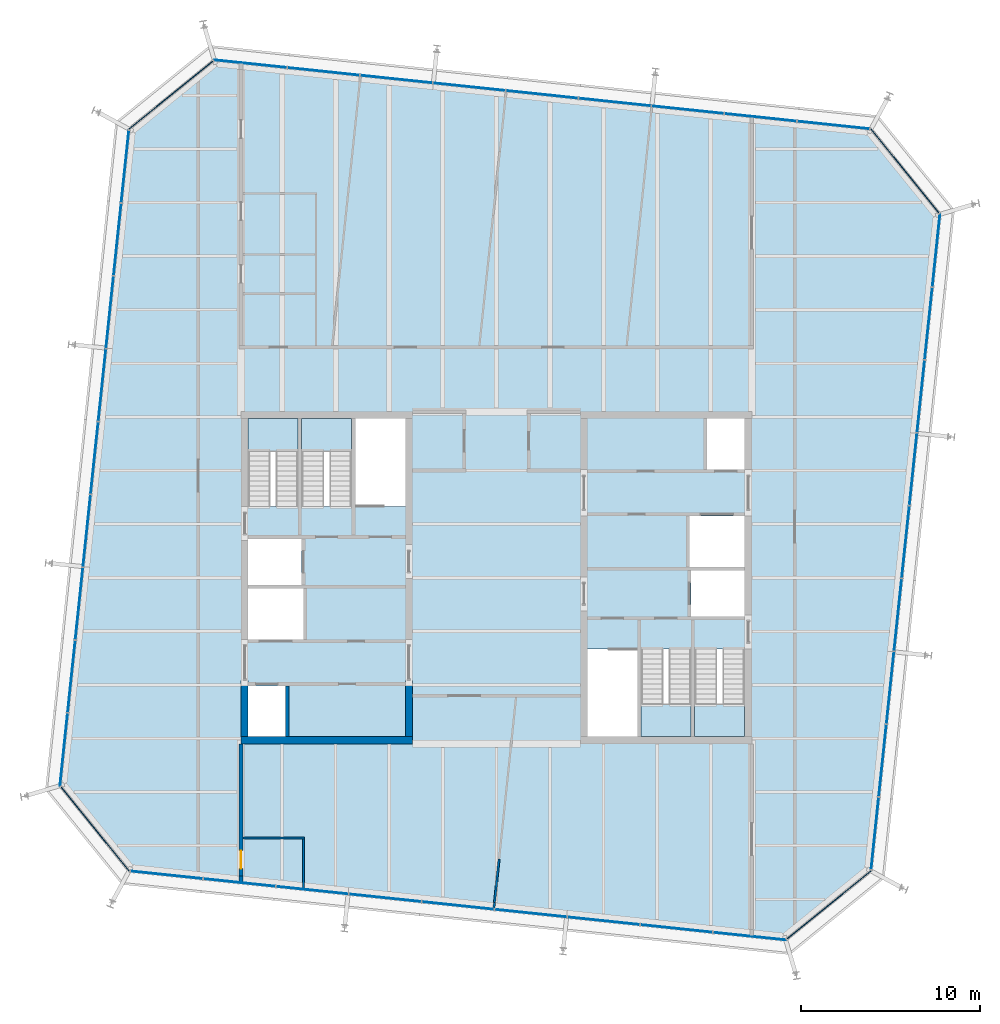
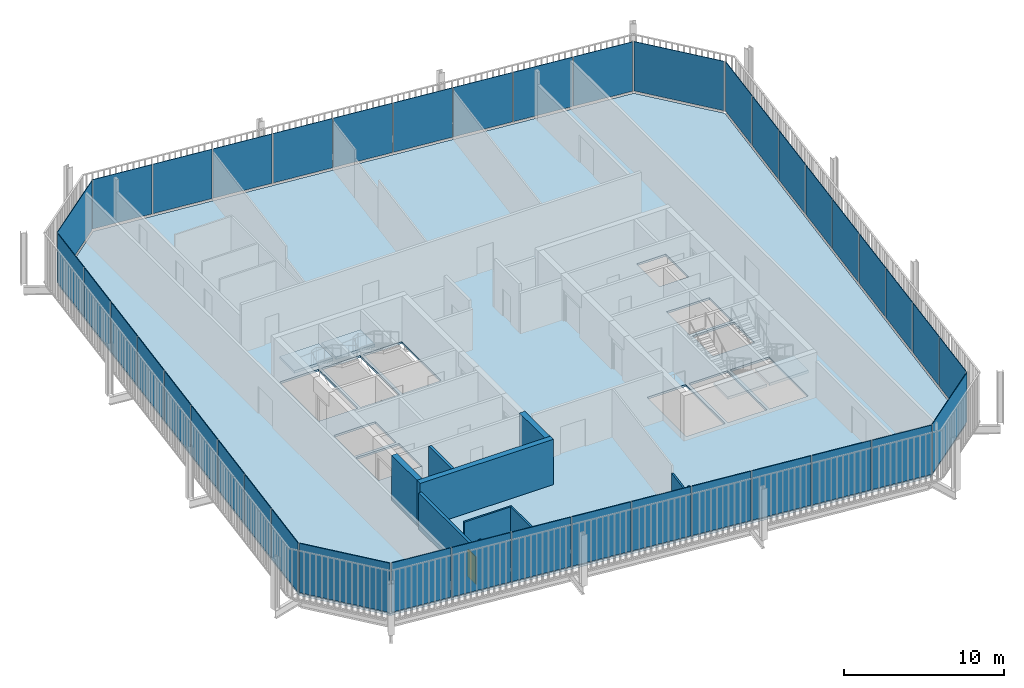
# One storey, part 15 of 19: 40 plates, 10 walls, 5 slabs, 1 door, 1 opening, 12 elements without a shape of their own.
"""IFC4 building model written with IfcOpenShell, lengths in metres."""

from ifc_helpers import new_model, si_unit, direction, frame, frame_2d, origin, place, context, subcontext, project, spatial, polyline, rectangle, outline, extrude, material, layer, layer_set, type_object, element, fill, aggregate, save


model = new_model("IFC4")

# Units and contexts
model_context = context("Model", 3, precision=1e-05, world=origin(), true_north=direction((0.0, 1.0)))
body_context = subcontext(model_context, "Body", "Model", "MODEL_VIEW")
ifc_project = project(units=[si_unit("LENGTHUNIT", "METRE"), si_unit("AREAUNIT", "SQUARE_METRE"), si_unit("VOLUMEUNIT", "CUBIC_METRE"), si_unit("PLANEANGLEUNIT", "RADIAN"), si_unit("MASSUNIT", "GRAM", prefix="KILO")], contexts=[model_context])

# Site, building, storey
site_placement = place(None, origin())
site = spatial("IfcSite", under=ifc_project, at=site_placement, CompositionType="ELEMENT")
building_placement = place(site_placement, origin())
building = spatial("IfcBuilding", under=site, at=building_placement, Name="Millrace Tower", CompositionType="ELEMENT")
storey_placement = place(building_placement, frame((0.0, 0.0, 338.199951171875)))
storey = spatial("IfcBuildingStorey", under=building, at=storey_placement, Name="L78", CompositionType="ELEMENT", Elevation=338.199951171875)

# Curtain wall, plate
ifc_material_1 = material(Name="Aluminium and glass", Category="aluminium")
ifc_layer_1 = layer(ifc_material_1, 0.14990234375)
ifc_layer_set_1 = layer_set([ifc_layer_1], Name="Aluminium and glass")
curtain_wall_type = type_object("IfcCurtainWallType", Name="CW-1 office vision curtain wall", PredefinedType="NOTDEFINED", material=ifc_layer_set_1)
placement_1 = place(storey_placement, origin())
curtain_wall_1 = element("IfcCurtainWall", 1, at=placement_1, inside=storey, type_object=curtain_wall_type, Name="Curtain wall E-F01 L78", PredefinedType="NOTDEFINED")
ifc_material_2 = material(Name="Glass", Category="glass")
ifc_layer_2 = layer(ifc_material_2, 0.0439453125)
ifc_layer_set_2 = layer_set([ifc_layer_2], Name="Glass")
plate_type = type_object("IfcPlateType", Name="CW-1 office vision curtain wall triple-glazed vision panel", PredefinedType="CURTAIN_PANEL", material=ifc_layer_set_2)
placement_2 = place(storey_placement, frame((0.0, 0.0, 0.14013671875)))
plate_1 = element("IfcPlate", 2, at=placement_2, type_object=plate_type, Name="CW1 panel E-F01.1", PredefinedType="CURTAIN_PANEL", context=body_context, shape_type="SweptSolid", body=[
    extrude(outline(polyline([(-24.388427734375, -11.732421875), (-20.5771484375, -16.439208984375), (-20.554443359375, -16.397216796875), (-24.354248046875, -11.704833984375), (-24.388427734375, -11.732421875)])), origin(), (0.0, 0.0, 1.0), 3.760009765625),
])
aggregate(curtain_wall_1, [plate_1])

# Curtain wall, plates
curtain_wall_2 = element("IfcCurtainWall", 3, at=placement_1, inside=storey, type_object=curtain_wall_type, Name="Curtain wall E-F02 L78", PredefinedType="NOTDEFINED")
plate_2 = element("IfcPlate", 4, at=placement_2, type_object=plate_type, Name="CW1 panel E-F02.1", PredefinedType="CURTAIN_PANEL", context=body_context, shape_type="SweptSolid", body=[
    extrude(outline(polyline([(-20.472412109375, -16.4501953125), (-16.45947265625, -16.871826171875), (-16.454833984375, -16.828125), (-20.4677734375, -16.40625), (-20.472412109375, -16.4501953125)])), origin(), (0.0, 0.0, 1.0), 3.760009765625),
])
plate_3 = element("IfcPlate", 5, at=placement_2, type_object=plate_type, Name="CW1 panel E-F02.2", PredefinedType="CURTAIN_PANEL", context=body_context, shape_type="SweptSolid", body=[
    extrude(outline(polyline([(-16.39501953125, -16.878662109375), (-12.382080078125, -17.300537109375), (-12.37744140625, -17.256591796875), (-16.390380859375, -16.8349609375), (-16.39501953125, -16.878662109375)])), origin(), (0.0, 0.0, 1.0), 3.760009765625),
])
plate_4 = element("IfcPlate", 6, at=placement_2, type_object=plate_type, Name="CW1 panel E-F02.3", PredefinedType="CURTAIN_PANEL", context=body_context, shape_type="SweptSolid", body=[
    extrude(outline(polyline([(-12.3173828125, -17.30712890625), (-8.304443359375, -17.72900390625), (-8.2998046875, -17.685302734375), (-12.312744140625, -17.263427734375), (-12.3173828125, -17.30712890625)])), origin(), (0.0, 0.0, 1.0), 3.760009765625),
])
plate_5 = element("IfcPlate", 7, at=placement_2, type_object=plate_type, Name="CW1 panel E-F02.4", PredefinedType="CURTAIN_PANEL", context=body_context, shape_type="SweptSolid", body=[
    extrude(outline(polyline([(-8.23974609375, -17.73583984375), (-4.22705078125, -18.157470703125), (-4.222412109375, -18.11376953125), (-8.235107421875, -17.692138671875), (-8.23974609375, -17.73583984375)])), origin(), (0.0, 0.0, 1.0), 3.760009765625),
])
plate_6 = element("IfcPlate", 8, at=placement_2, type_object=plate_type, Name="CW1 panel E-F02.5", PredefinedType="CURTAIN_PANEL", context=body_context, shape_type="SweptSolid", body=[
    extrude(outline(polyline([(-4.162353515625, -18.164306640625), (-0.1494140625, -18.586181640625), (-0.144775390625, -18.54248046875), (-4.15771484375, -18.12060546875), (-4.162353515625, -18.164306640625)])), origin(), (0.0, 0.0, 1.0), 3.760009765625),
])
plate_7 = element("IfcPlate", 9, at=placement_2, type_object=plate_type, Name="CW1 panel E-F02.6", PredefinedType="CURTAIN_PANEL", context=body_context, shape_type="SweptSolid", body=[
    extrude(outline(polyline([(-0.084716796875, -18.593017578125), (3.92822265625, -19.0146484375), (3.932861328125, -18.970947265625), (-0.080078125, -18.549072265625), (-0.084716796875, -18.593017578125)])), origin(), (0.0, 0.0, 1.0), 3.760009765625),
])
plate_8 = element("IfcPlate", 10, at=placement_2, type_object=plate_type, Name="CW1 panel E-F02.7", PredefinedType="CURTAIN_PANEL", context=body_context, shape_type="SweptSolid", body=[
    extrude(outline(polyline([(3.99267578125, -19.021484375), (8.005615234375, -19.443359375), (8.01025390625, -19.3994140625), (3.997314453125, -18.977783203125), (3.99267578125, -19.021484375)])), origin(), (0.0, 0.0, 1.0), 3.760009765625),
])
plate_9 = element("IfcPlate", 11, at=placement_2, type_object=plate_type, Name="CW1 panel E-F02.8", PredefinedType="CURTAIN_PANEL", context=body_context, shape_type="SweptSolid", body=[
    extrude(outline(polyline([(8.0703125, -19.449951171875), (12.083251953125, -19.871826171875), (12.087890625, -19.828125), (8.074951171875, -19.40625), (8.0703125, -19.449951171875)])), origin(), (0.0, 0.0, 1.0), 3.760009765625),
])
plate_10 = element("IfcPlate", 12, at=placement_2, type_object=plate_type, Name="CW1 panel E-F02.9", PredefinedType="CURTAIN_PANEL", context=body_context, shape_type="SweptSolid", body=[
    extrude(outline(polyline([(12.14794921875, -19.878662109375), (16.20068359375, -20.3046875), (16.187255859375, -20.259033203125), (12.152587890625, -19.8349609375), (12.14794921875, -19.878662109375)])), origin(), (0.0, 0.0, 1.0), 3.760009765625),
])
aggregate(curtain_wall_2, [plate_2, plate_3, plate_4, plate_5, plate_6, plate_7, plate_8, plate_9, plate_10])

# Curtain wall, plate
curtain_wall_3 = element("IfcCurtainWall", 13, at=placement_1, inside=storey, type_object=curtain_wall_type, Name="Curtain wall E-F03 L78", PredefinedType="NOTDEFINED")
plate_11 = element("IfcPlate", 14, at=placement_2, type_object=plate_type, Name="CW1 panel E-F03.1", PredefinedType="CURTAIN_PANEL", context=body_context, shape_type="SweptSolid", body=[
    extrude(outline(polyline([(16.282470703125, -20.23828125), (20.989013671875, -16.427001953125), (20.947265625, -16.404296875), (16.2548828125, -20.2041015625), (16.282470703125, -20.23828125)])), origin(), (0.0, 0.0, 1.0), 3.760009765625),
])
aggregate(curtain_wall_3, [plate_11])

# Curtain wall, plates
curtain_wall_4 = element("IfcCurtainWall", 15, at=placement_1, inside=storey, type_object=curtain_wall_type, Name="Curtain wall E-F04 L78", PredefinedType="NOTDEFINED")
plate_12 = element("IfcPlate", 16, at=placement_2, type_object=plate_type, Name="CW1 panel E-F04.1", PredefinedType="CURTAIN_PANEL", context=body_context, shape_type="SweptSolid", body=[
    extrude(outline(polyline([(21.0, -16.322509765625), (21.421875, -12.3095703125), (21.378173828125, -12.304931640625), (20.956298828125, -16.31787109375), (21.0, -16.322509765625)])), origin(), (0.0, 0.0, 1.0), 3.760009765625),
])
plate_13 = element("IfcPlate", 17, at=placement_2, type_object=plate_type, Name="CW1 panel E-F04.2", PredefinedType="CURTAIN_PANEL", context=body_context, shape_type="SweptSolid", body=[
    extrude(outline(polyline([(21.4287109375, -12.244873046875), (21.850341796875, -8.23193359375), (21.806640625, -8.227294921875), (21.385009765625, -12.240234375), (21.4287109375, -12.244873046875)])), origin(), (0.0, 0.0, 1.0), 3.760009765625),
])
plate_14 = element("IfcPlate", 18, at=placement_2, type_object=plate_type, Name="CW1 panel E-F04.3", PredefinedType="CURTAIN_PANEL", context=body_context, shape_type="SweptSolid", body=[
    extrude(outline(polyline([(21.857177734375, -8.16748046875), (22.279052734375, -4.154541015625), (22.2353515625, -4.14990234375), (21.8134765625, -8.162841796875), (21.857177734375, -8.16748046875)])), origin(), (0.0, 0.0, 1.0), 3.760009765625),
])
plate_15 = element("IfcPlate", 19, at=placement_2, type_object=plate_type, Name="CW1 panel E-F04.4", PredefinedType="CURTAIN_PANEL", context=body_context, shape_type="SweptSolid", body=[
    extrude(outline(polyline([(22.285888671875, -4.08984375), (22.70751953125, -0.076904296875), (22.663818359375, -0.072265625), (22.241943359375, -4.085205078125), (22.285888671875, -4.08984375)])), origin(), (0.0, 0.0, 1.0), 3.760009765625),
])
plate_16 = element("IfcPlate", 20, at=placement_2, type_object=plate_type, Name="CW1 panel E-F04.5", PredefinedType="CURTAIN_PANEL", context=body_context, shape_type="SweptSolid", body=[
    extrude(outline(polyline([(22.71435546875, -0.01220703125), (23.13623046875, 4.00048828125), (23.09228515625, 4.005126953125), (22.670654296875, -0.007568359375), (22.71435546875, -0.01220703125)])), origin(), (0.0, 0.0, 1.0), 3.760009765625),
])
plate_17 = element("IfcPlate", 21, at=placement_2, type_object=plate_type, Name="CW1 panel E-F04.6", PredefinedType="CURTAIN_PANEL", context=body_context, shape_type="SweptSolid", body=[
    extrude(outline(polyline([(23.142822265625, 4.065185546875), (23.564697265625, 8.078125), (23.52099609375, 8.082763671875), (23.09912109375, 4.06982421875), (23.142822265625, 4.065185546875)])), origin(), (0.0, 0.0, 1.0), 3.760009765625),
])
plate_18 = element("IfcPlate", 22, at=placement_2, type_object=plate_type, Name="CW1 panel E-F04.7", PredefinedType="CURTAIN_PANEL", context=body_context, shape_type="SweptSolid", body=[
    extrude(outline(polyline([(23.571533203125, 8.142822265625), (23.9931640625, 12.15576171875), (23.949462890625, 12.160400390625), (23.52783203125, 8.1474609375), (23.571533203125, 8.142822265625)])), origin(), (0.0, 0.0, 1.0), 3.760009765625),
])
plate_19 = element("IfcPlate", 23, at=placement_2, type_object=plate_type, Name="CW1 panel E-F04.8", PredefinedType="CURTAIN_PANEL", context=body_context, shape_type="SweptSolid", body=[
    extrude(outline(polyline([(24.0, 12.22021484375), (24.421875, 16.233154296875), (24.378173828125, 16.23779296875), (23.956298828125, 12.224853515625), (24.0, 12.22021484375)])), origin(), (0.0, 0.0, 1.0), 3.760009765625),
])
plate_20 = element("IfcPlate", 24, at=placement_2, type_object=plate_type, Name="CW1 panel E-F04.9", PredefinedType="CURTAIN_PANEL", context=body_context, shape_type="SweptSolid", body=[
    extrude(outline(polyline([(24.4287109375, 16.2978515625), (24.8544921875, 20.350830078125), (24.808837890625, 20.337158203125), (24.384765625, 16.302490234375), (24.4287109375, 16.2978515625)])), origin(), (0.0, 0.0, 1.0), 3.760009765625),
])
aggregate(curtain_wall_4, [plate_12, plate_13, plate_14, plate_15, plate_16, plate_17, plate_18, plate_19, plate_20])

# Curtain wall, plate
curtain_wall_5 = element("IfcCurtainWall", 25, at=placement_1, inside=storey, type_object=curtain_wall_type, Name="Curtain wall E-F05 L78", PredefinedType="NOTDEFINED")
plate_21 = element("IfcPlate", 26, at=placement_2, type_object=plate_type, Name="CW1 panel E-F05.1", PredefinedType="CURTAIN_PANEL", context=body_context, shape_type="SweptSolid", body=[
    extrude(outline(polyline([(24.788330078125, 20.432373046875), (20.97705078125, 25.13916015625), (20.954345703125, 25.09716796875), (24.754150390625, 20.40478515625), (24.788330078125, 20.432373046875)])), origin(), (0.0, 0.0, 1.0), 3.760009765625),
])
aggregate(curtain_wall_5, [plate_21])

# Curtain wall, plates
curtain_wall_6 = element("IfcCurtainWall", 27, at=placement_1, inside=storey, type_object=curtain_wall_type, Name="Curtain wall E-F06 L78", PredefinedType="NOTDEFINED")
plate_22 = element("IfcPlate", 28, at=placement_2, type_object=plate_type, Name="CW1 panel E-F06.1", PredefinedType="CURTAIN_PANEL", context=body_context, shape_type="SweptSolid", body=[
    extrude(outline(polyline([(20.87255859375, 25.150146484375), (16.859619140625, 25.57177734375), (16.85498046875, 25.528076171875), (20.867919921875, 25.1064453125), (20.87255859375, 25.150146484375)])), origin(), (0.0, 0.0, 1.0), 3.760009765625),
])
plate_23 = element("IfcPlate", 29, at=placement_2, type_object=plate_type, Name="CW1 panel E-F06.2", PredefinedType="CURTAIN_PANEL", context=body_context, shape_type="SweptSolid", body=[
    extrude(outline(polyline([(16.794921875, 25.57861328125), (12.781982421875, 26.00048828125), (12.77734375, 25.956787109375), (16.790283203125, 25.534912109375), (16.794921875, 25.57861328125)])), origin(), (0.0, 0.0, 1.0), 3.760009765625),
])
plate_24 = element("IfcPlate", 30, at=placement_2, type_object=plate_type, Name="CW1 panel E-F06.3", PredefinedType="CURTAIN_PANEL", context=body_context, shape_type="SweptSolid", body=[
    extrude(outline(polyline([(12.71728515625, 26.00732421875), (8.70458984375, 26.428955078125), (8.699951171875, 26.38525390625), (12.712646484375, 25.96337890625), (12.71728515625, 26.00732421875)])), origin(), (0.0, 0.0, 1.0), 3.760009765625),
])
plate_25 = element("IfcPlate", 31, at=placement_2, type_object=plate_type, Name="CW1 panel E-F06.4", PredefinedType="CURTAIN_PANEL", context=body_context, shape_type="SweptSolid", body=[
    extrude(outline(polyline([(8.639892578125, 26.435791015625), (4.626953125, 26.857666015625), (4.622314453125, 26.813720703125), (8.63525390625, 26.39208984375), (8.639892578125, 26.435791015625)])), origin(), (0.0, 0.0, 1.0), 3.760009765625),
])
plate_26 = element("IfcPlate", 32, at=placement_2, type_object=plate_type, Name="CW1 panel E-F06.5", PredefinedType="CURTAIN_PANEL", context=body_context, shape_type="SweptSolid", body=[
    extrude(outline(polyline([(4.562255859375, 26.8642578125), (0.54931640625, 27.2861328125), (0.544677734375, 27.242431640625), (4.5576171875, 26.820556640625), (4.562255859375, 26.8642578125)])), origin(), (0.0, 0.0, 1.0), 3.760009765625),
])
plate_27 = element("IfcPlate", 33, at=placement_2, type_object=plate_type, Name="CW1 panel E-F06.6", PredefinedType="CURTAIN_PANEL", context=body_context, shape_type="SweptSolid", body=[
    extrude(outline(polyline([(0.48486328125, 27.29296875), (-3.528076171875, 27.714599609375), (-3.53271484375, 27.6708984375), (0.480224609375, 27.249267578125), (0.48486328125, 27.29296875)])), origin(), (0.0, 0.0, 1.0), 3.760009765625),
])
plate_28 = element("IfcPlate", 34, at=placement_2, type_object=plate_type, Name="CW1 panel E-F06.7", PredefinedType="CURTAIN_PANEL", context=body_context, shape_type="SweptSolid", body=[
    extrude(outline(polyline([(-3.5927734375, 27.721435546875), (-7.605712890625, 28.143310546875), (-7.6103515625, 28.099609375), (-3.597412109375, 27.677734375), (-3.5927734375, 27.721435546875)])), origin(), (0.0, 0.0, 1.0), 3.760009765625),
])
plate_29 = element("IfcPlate", 35, at=placement_2, type_object=plate_type, Name="CW1 panel E-F06.8", PredefinedType="CURTAIN_PANEL", context=body_context, shape_type="SweptSolid", body=[
    extrude(outline(polyline([(-7.67041015625, 28.150146484375), (-11.68310546875, 28.57177734375), (-11.687744140625, 28.528076171875), (-7.675048828125, 28.106201171875), (-7.67041015625, 28.150146484375)])), origin(), (0.0, 0.0, 1.0), 3.760009765625),
])
plate_30 = element("IfcPlate", 36, at=placement_2, type_object=plate_type, Name="CW1 panel E-F06.9", PredefinedType="CURTAIN_PANEL", context=body_context, shape_type="SweptSolid", body=[
    extrude(outline(polyline([(-11.747802734375, 28.57861328125), (-15.80078125, 29.004638671875), (-15.787109375, 28.958984375), (-11.75244140625, 28.534912109375), (-11.747802734375, 28.57861328125)])), origin(), (0.0, 0.0, 1.0), 3.760009765625),
])
aggregate(curtain_wall_6, [plate_22, plate_23, plate_24, plate_25, plate_26, plate_27, plate_28, plate_29, plate_30])

# Curtain wall, plate
curtain_wall_7 = element("IfcCurtainWall", 37, at=placement_1, inside=storey, type_object=curtain_wall_type, Name="Curtain wall E-F07 L78", PredefinedType="NOTDEFINED")
plate_31 = element("IfcPlate", 38, at=placement_2, type_object=plate_type, Name="CW1 panel E-F07.1", PredefinedType="CURTAIN_PANEL", context=body_context, shape_type="SweptSolid", body=[
    extrude(outline(polyline([(-15.882568359375, 28.9384765625), (-20.589111328125, 25.126953125), (-20.547119140625, 25.104248046875), (-15.854736328125, 28.904296875), (-15.882568359375, 28.9384765625)])), origin(), (0.0, 0.0, 1.0), 3.760009765625),
])
aggregate(curtain_wall_7, [plate_31])

# Curtain wall, plates
curtain_wall_8 = element("IfcCurtainWall", 39, at=placement_1, inside=storey, type_object=curtain_wall_type, Name="Curtain wall E-F08 L78", PredefinedType="NOTDEFINED")
plate_32 = element("IfcPlate", 40, at=placement_2, type_object=plate_type, Name="CW1 panel E-F08.1", PredefinedType="CURTAIN_PANEL", context=body_context, shape_type="SweptSolid", body=[
    extrude(outline(polyline([(-20.60009765625, 25.0224609375), (-21.02197265625, 21.009521484375), (-20.97802734375, 21.0048828125), (-20.556396484375, 25.017822265625), (-20.60009765625, 25.0224609375)])), origin(), (0.0, 0.0, 1.0), 3.760009765625),
])
plate_33 = element("IfcPlate", 41, at=placement_2, type_object=plate_type, Name="CW1 panel E-F08.2", PredefinedType="CURTAIN_PANEL", context=body_context, shape_type="SweptSolid", body=[
    extrude(outline(polyline([(-21.028564453125, 20.94482421875), (-21.450439453125, 16.93212890625), (-21.40673828125, 16.927490234375), (-20.98486328125, 20.9404296875), (-21.028564453125, 20.94482421875)])), origin(), (0.0, 0.0, 1.0), 3.760009765625),
])
plate_34 = element("IfcPlate", 42, at=placement_2, type_object=plate_type, Name="CW1 panel E-F08.3", PredefinedType="CURTAIN_PANEL", context=body_context, shape_type="SweptSolid", body=[
    extrude(outline(polyline([(-21.457275390625, 16.867431640625), (-21.87890625, 12.8544921875), (-21.835205078125, 12.849853515625), (-21.41357421875, 16.86279296875), (-21.457275390625, 16.867431640625)])), origin(), (0.0, 0.0, 1.0), 3.760009765625),
])
plate_35 = element("IfcPlate", 43, at=placement_2, type_object=plate_type, Name="CW1 panel E-F08.4", PredefinedType="CURTAIN_PANEL", context=body_context, shape_type="SweptSolid", body=[
    extrude(outline(polyline([(-21.8857421875, 12.789794921875), (-22.3076171875, 8.77685546875), (-22.263916015625, 8.772216796875), (-21.842041015625, 12.78515625), (-21.8857421875, 12.789794921875)])), origin(), (0.0, 0.0, 1.0), 3.760009765625),
])
plate_36 = element("IfcPlate", 44, at=placement_2, type_object=plate_type, Name="CW1 panel E-F08.5", PredefinedType="CURTAIN_PANEL", context=body_context, shape_type="SweptSolid", body=[
    extrude(outline(polyline([(-22.314453125, 8.71240234375), (-22.736083984375, 4.699462890625), (-22.6923828125, 4.69482421875), (-22.2705078125, 8.707763671875), (-22.314453125, 8.71240234375)])), origin(), (0.0, 0.0, 1.0), 3.760009765625),
])
plate_37 = element("IfcPlate", 45, at=placement_2, type_object=plate_type, Name="CW1 panel E-F08.6", PredefinedType="CURTAIN_PANEL", context=body_context, shape_type="SweptSolid", body=[
    extrude(outline(polyline([(-22.742919921875, 4.634765625), (-23.164794921875, 0.621826171875), (-23.120849609375, 0.6171875), (-22.69921875, 4.630126953125), (-22.742919921875, 4.634765625)])), origin(), (0.0, 0.0, 1.0), 3.760009765625),
])
plate_38 = element("IfcPlate", 46, at=placement_2, type_object=plate_type, Name="CW1 panel E-F08.7", PredefinedType="CURTAIN_PANEL", context=body_context, shape_type="SweptSolid", body=[
    extrude(outline(polyline([(-23.17138671875, 0.55712890625), (-23.59326171875, -3.45556640625), (-23.549560546875, -3.460205078125), (-23.127685546875, 0.552490234375), (-23.17138671875, 0.55712890625)])), origin(), (0.0, 0.0, 1.0), 3.760009765625),
])
plate_39 = element("IfcPlate", 47, at=placement_2, type_object=plate_type, Name="CW1 panel E-F08.8", PredefinedType="CURTAIN_PANEL", context=body_context, shape_type="SweptSolid", body=[
    extrude(outline(polyline([(-23.60009765625, -3.520263671875), (-24.021728515625, -7.533203125), (-23.97802734375, -7.537841796875), (-23.556396484375, -3.52490234375), (-23.60009765625, -3.520263671875)])), origin(), (0.0, 0.0, 1.0), 3.760009765625),
])
plate_40 = element("IfcPlate", 48, at=placement_2, type_object=plate_type, Name="CW1 panel E-F08.9", PredefinedType="CURTAIN_PANEL", context=body_context, shape_type="SweptSolid", body=[
    extrude(outline(polyline([(-24.028564453125, -7.597900390625), (-24.45458984375, -11.650634765625), (-24.408935546875, -11.63720703125), (-23.98486328125, -7.6025390625), (-24.028564453125, -7.597900390625)])), origin(), (0.0, 0.0, 1.0), 3.760009765625),
])
aggregate(curtain_wall_8, [plate_32, plate_33, plate_34, plate_35, plate_36, plate_37, plate_38, plate_39, plate_40])

# Slab
ifc_material_3 = material(Name="Concrete C35 on steel deck", Category="concrete")
ifc_layer_3 = layer(ifc_material_3, 0.159912109375)
ifc_layer_set_3 = layer_set([ifc_layer_3], Name="Concrete C35 on steel deck")
slab_type_1 = type_object("IfcSlabType", Name="Composite floor slab 160 mm", PredefinedType="FLOOR", material=ifc_layer_set_3)
slab_1_placement = place(storey_placement, frame((0.0, 0.0, -0.159912109375)))
element("IfcSlab", 49, at=slab_1_placement, inside=storey, type_object=slab_type_1, Name="SL-E-L78-S1", PredefinedType="FLOOR", context=body_context, shape_type="SweptSolid", body=[
    extrude(outline(polyline([(-24.35400390625, -11.620849609375), (-20.52685546875, -16.346923828125), (16.1708984375, -20.203857421875), (20.896728515625, -16.376953125), (24.75390625, 20.32080078125), (20.927001953125, 25.046875), (-15.77099609375, 28.90380859375), (-20.496826171875, 25.076904296875), (-24.35400390625, -11.620849609375)]), holes=[polyline([(-13.89990234375, -8.89990234375), (-11.800048828125, -8.89990234375), (-11.800048828125, -6.050048828125), (-13.89990234375, -6.050048828125), (-13.89990234375, -8.89990234375)]), polyline([(-13.89990234375, -3.449951171875), (-10.800048828125, -3.449951171875), (-10.800048828125, -0.60009765625), (-13.89990234375, -0.60009765625), (-13.89990234375, -3.449951171875)]), polyline([(-13.89990234375, -0.39990234375), (-10.89990234375, -0.39990234375), (-10.89990234375, 2.179931640625), (-13.89990234375, 2.179931640625), (-13.89990234375, -0.39990234375)]), polyline([(-13.89990234375, 4.0), (-11.10009765625, 4.0), (-11.10009765625, 8.89990234375), (-13.89990234375, 8.89990234375), (-13.89990234375, 4.0)]), polyline([(-10.89990234375, 4.0), (-8.10009765625, 4.0), (-8.10009765625, 8.89990234375), (-10.89990234375, 8.89990234375), (-10.89990234375, 4.0)]), polyline([(-7.89990234375, 4.0), (-5.10009765625, 4.0), (-5.10009765625, 8.89990234375), (-7.89990234375, 8.89990234375), (-7.89990234375, 4.0)]), polyline([(11.800048828125, 6.050048828125), (13.89990234375, 6.050048828125), (13.89990234375, 8.89990234375), (11.800048828125, 8.89990234375), (11.800048828125, 6.050048828125)]), polyline([(10.800048828125, 0.60009765625), (13.89990234375, 0.60009765625), (13.89990234375, 3.449951171875), (10.800048828125, 3.449951171875), (10.800048828125, 0.60009765625)]), polyline([(10.89990234375, -2.179931640625), (13.89990234375, -2.179931640625), (13.89990234375, 0.39990234375), (10.89990234375, 0.39990234375), (10.89990234375, -2.179931640625)]), polyline([(11.10009765625, -8.89990234375), (13.89990234375, -8.89990234375), (13.89990234375, -4.0), (11.10009765625, -4.0), (11.10009765625, -8.89990234375)]), polyline([(8.10009765625, -8.89990234375), (10.89990234375, -8.89990234375), (10.89990234375, -4.0), (8.10009765625, -4.0), (8.10009765625, -8.89990234375)]), polyline([(5.10009765625, -8.89990234375), (7.89990234375, -8.89990234375), (7.89990234375, -4.0), (5.10009765625, -4.0), (5.10009765625, -8.89990234375)])]), origin(), (0.0, 0.0, 1.0), 0.159912109375),
])

# Stair, slab
ifc_material_4 = material(Name="Concrete C35", Category="concrete")
stair_type = type_object("IfcStairType", Name="Exit stair", PredefinedType="HALF_TURN_STAIR", material=ifc_material_4)
stair_1 = element("IfcStair", 50, at=placement_1, inside=storey, type_object=stair_type, Name="Stair 1 W L78", PredefinedType="HALF_TURN_STAIR")
ifc_material_5 = material(Name="Concrete C40", Category="concrete")
ifc_layer_4 = layer(ifc_material_5, 0.199951171875)
ifc_layer_set_4 = layer_set([ifc_layer_4], Name="Concrete C40")
slab_type_2 = type_object("IfcSlabType", Name="Stair landing", PredefinedType="LANDING", material=ifc_layer_set_4)
placement_3 = place(storey_placement, frame((0.0, 0.0, 1.75)))
slab_2 = element("IfcSlab", 51, at=placement_3, type_object=slab_type_2, Name="ST12 landing 1", PredefinedType="LANDING", context=body_context, shape_type="SweptSolid", body=[
    extrude(outline(polyline([(-13.89990234375, 7.080078125), (-11.10009765625, 7.080078125), (-11.10009765625, 8.89990234375), (-13.89990234375, 8.89990234375), (-13.89990234375, 7.080078125)])), origin(), (0.0, 0.0, 1.0), 0.199951171875),
])
aggregate(stair_1, [slab_2])

stair_2 = element("IfcStair", 52, at=placement_1, inside=storey, type_object=stair_type, Name="Stair 2 W L78", PredefinedType="HALF_TURN_STAIR")
slab_3 = element("IfcSlab", 53, at=placement_3, type_object=slab_type_2, Name="ST12 landing 1", PredefinedType="LANDING", context=body_context, shape_type="SweptSolid", body=[
    extrude(outline(polyline([(-10.89990234375, 7.080078125), (-8.10009765625, 7.080078125), (-8.10009765625, 8.89990234375), (-10.89990234375, 8.89990234375), (-10.89990234375, 7.080078125)])), origin(), (0.0, 0.0, 1.0), 0.199951171875),
])
aggregate(stair_2, [slab_3])

stair_3 = element("IfcStair", 54, at=placement_1, inside=storey, type_object=stair_type, Name="Stair 1 E L78", PredefinedType="HALF_TURN_STAIR")
slab_4 = element("IfcSlab", 55, at=placement_3, type_object=slab_type_2, Name="ST12 landing 1", PredefinedType="LANDING", context=body_context, shape_type="SweptSolid", body=[
    extrude(outline(polyline([(11.10009765625, -8.89990234375), (13.89990234375, -8.89990234375), (13.89990234375, -7.080078125), (11.10009765625, -7.080078125), (11.10009765625, -8.89990234375)])), origin(), (0.0, 0.0, 1.0), 0.199951171875),
])
aggregate(stair_3, [slab_4])

stair_4 = element("IfcStair", 56, at=placement_1, inside=storey, type_object=stair_type, Name="Stair 2 E L78", PredefinedType="HALF_TURN_STAIR")
slab_5 = element("IfcSlab", 57, at=placement_3, type_object=slab_type_2, Name="ST12 landing 1", PredefinedType="LANDING", context=body_context, shape_type="SweptSolid", body=[
    extrude(outline(polyline([(8.10009765625, -8.89990234375), (10.89990234375, -8.89990234375), (10.89990234375, -7.080078125), (8.10009765625, -7.080078125), (8.10009765625, -8.89990234375)])), origin(), (0.0, 0.0, 1.0), 0.199951171875),
])
aggregate(stair_4, [slab_5])

# Walls
ifc_material_6 = material(Name="Concrete C60", Category="concrete")
ifc_layer_5 = layer(ifc_material_6, 0.39990234375)
ifc_layer_set_5 = layer_set([ifc_layer_5], Name="Concrete C60")
wall_type_1 = type_object("IfcWallType", Name="Core wall 400 Concrete C60", PredefinedType="SHEAR", material=ifc_layer_set_5)
wall_1_placement = place(storey_placement, frame((-14.300048828125, -9.10009765625, 0.0), z_axis=(0.0, 0.0, 1.0), x_axis=(1.0, 0.0, 0.0)))
element("IfcWall", 58, at=wall_1_placement, inside=storey, type_object=wall_type_1, Name="Core wall W L78", PredefinedType="SHEAR", context=body_context, shape_type="SweptSolid", body=[
    extrude(rectangle(XDim=9.60009765625, YDim=0.39990234375, at=frame_2d((4.800048828125, 0.0))), origin(), (0.0, 0.0, 1.0), 3.449951171875),
])
for number, where, z_axis, x_axis, name in (
    (59, (-14.10009765625, -8.89990234375, 0.0), (0.0, 0.0, 1.0), (0.0, 1.0, 0.0), "Core wall W L78"),
    (60, (-4.89990234375, -8.89990234375, 0.0), (0.0, 0.0, 1.0), (0.0, 1.0, 0.0), "Core wall W L78"),
):
    element("IfcWall", number, at=place(storey_placement, frame(where, z_axis=z_axis, x_axis=x_axis)), inside=storey, type_object=wall_type_1, Name=name, PredefinedType="SHEAR", context=body_context, shape_type="SweptSolid", body=[
        extrude(rectangle(XDim=3.14990234375, YDim=0.39990234375, at=frame_2d((1.574951171875, 0.0))), origin(), (0.0, 0.0, 1.0), 3.449951171875),
    ])
ifc_material_7 = material(Name="Masonry partition, fire-rated", Category="masonry")
ifc_layer_6 = layer(ifc_material_7, 0.199951171875)
ifc_layer_set_6 = layer_set([ifc_layer_6], Name="Masonry partition, fire-rated")
wall_type_2 = type_object("IfcWallType", Name="Corridor wall 200", PredefinedType="PARTITIONING", material=ifc_layer_set_6)
wall_2_placement = place(storey_placement, frame((-14.300048828125, -17.031494140625, 0.0), z_axis=(0.0, 0.0, 1.0), x_axis=(0.0, 1.0, 0.0)))
element("IfcWall", 61, at=wall_2_placement, inside=storey, type_object=wall_type_2, Name="Corridor wall L78", PredefinedType="PARTITIONING", context=body_context, shape_type="SweptSolid", body=[
    extrude(rectangle(XDim=0.339111328125, YDim=0.199951171875, at=frame_2d((0.16943359375, 0.0))), origin(), (0.0, 0.0, 1.0), 3.699951171875),
])

# Wall, opening, door
wall_3_placement = place(storey_placement, frame((-14.300048828125, -16.6923828125, 0.0), z_axis=(0.0, 0.0, 1.0), x_axis=(0.0, 1.0, 0.0)))
wall_3 = element("IfcWall", 62, at=wall_3_placement, inside=storey, type_object=wall_type_2, Name="Corridor wall L78", PredefinedType="PARTITIONING", context=body_context, shape_type="SweptSolid", body=[
    extrude(rectangle(XDim=7.392333984375, YDim=0.199951171875, at=frame_2d((3.6962890625, 0.0))), origin(), (0.0, 0.0, 1.0), 2.77294921875),
])
opening_placement = place(wall_3_placement, frame((0.411376953125, 0.0, 0.0)))
opening = element("IfcOpeningElement", 63, at=opening_placement, cuts=wall_3, Name="Opening 78-P013", PredefinedType="OPENING", context=body_context, shape_type="SweptSolid", body=[
    extrude(rectangle(XDim=1.0, YDim=2.10009765625, at=frame_2d((0.5, 1.050048828125))), frame((0.0, 0.10986328125, 0.0), z_axis=(0.0, -1.0, 0.0), x_axis=(1.0, 0.0, 0.0)), (0.0, 0.0, 1.0), 0.219970703125),
])
ifc_material_8 = material(Name="Steel door set, fire-rated", Category="steel")
door_type = type_object("IfcDoorType", Name="Corridor door 1000 x 2100", OperationType="SINGLE_SWING_LEFT", PredefinedType="DOOR", material=ifc_material_8)
door_placement = place(opening_placement, frame((1.0, 0.0, 0.0), z_axis=(0.0, 0.0, 1.0), x_axis=(-1.0, 0.0, 0.0)))
door = element("IfcDoor", 64, at=door_placement, inside=storey, type_object=door_type, Name="Door 78-P013", OperationType="SINGLE_SWING_RIGHT", OverallHeight=2.10009765625, OverallWidth=1.0, PredefinedType="DOOR", context=body_context, shape_type="SweptSolid", body=[
    extrude(rectangle(XDim=1.0, YDim=2.10009765625, at=frame_2d((0.5, 1.050048828125))), frame((0.0, 0.02490234375, 0.0), z_axis=(0.0, -1.0, 0.0), x_axis=(1.0, 0.0, 0.0)), (0.0, 0.0, 1.0), 0.050048828125),
])
fill(opening, door)

# Walls
ifc_material_9 = material(Name="Masonry partition, fire-rated", Category="masonry")
ifc_layer_7 = layer(ifc_material_9, 0.199951171875)
ifc_layer_set_7 = layer_set([ifc_layer_7], Name="Masonry partition, fire-rated")
wall_type_3 = type_object("IfcWallType", Name="Lift shaft wall 200", PredefinedType="PARTITIONING", material=ifc_layer_set_7)
wall_4_placement = place(storey_placement, frame((-11.699951171875, -8.89990234375, 0.0), z_axis=(0.0, 0.0, 1.0), x_axis=(0.0, 1.0, 0.0)))
element("IfcWall", 65, at=wall_4_placement, inside=storey, type_object=wall_type_3, Name="Lift shaft wall W L78", PredefinedType="PARTITIONING", context=body_context, shape_type="SweptSolid", body=[
    extrude(rectangle(XDim=2.849853515625, YDim=0.199951171875, at=frame_2d((1.4248046875, 0.0))), origin(), (0.0, 0.0, 1.0), 3.449951171875),
])
ifc_material_10 = material(Name="Gypsum board partition")
ifc_layer_8 = layer(ifc_material_10, 0.1201171875)
ifc_layer_set_8 = layer_set([ifc_layer_8], Name="Gypsum board partition")
wall_type_4 = type_object("IfcWallType", Name="Partition wall 120", PredefinedType="PARTITIONING", material=ifc_layer_set_8)
wall_5_placement = place(storey_placement, frame((-14.199951171875, -14.5810546875, 0.0), z_axis=(0.0, 0.0, 1.0), x_axis=(1.0, 0.0, 0.0)))
element("IfcWall", 66, at=wall_5_placement, inside=storey, type_object=wall_type_4, Name="Partition wall L78", PredefinedType="PARTITIONING", context=body_context, shape_type="SweptSolid", body=[
    extrude(rectangle(XDim=3.4599609375, YDim=0.1201171875, at=frame_2d((1.72998046875, 0.0))), origin(), (0.0, 0.0, 1.0), 3.699951171875),
])
wall_6_placement = place(storey_placement, frame((-0.14208984375, -18.51953125, 0.0), z_axis=(0.0, 0.0, 1.0), x_axis=(0.104219761224, 0.994554292822, 0.0)))
element("IfcWall", 67, at=wall_6_placement, inside=storey, type_object=wall_type_4, Name="Partition wall L78", PredefinedType="PARTITIONING", context=body_context, shape_type="SweptSolid", body=[
    extrude(rectangle(XDim=0.327880859375, YDim=0.1201171875, at=frame_2d((0.1640625, 0.0))), origin(), (0.0, 0.0, 1.0), 3.699951171875),
])
wall_7_placement = place(storey_placement, frame((-0.10791015625, -18.193359375, 0.0), z_axis=(0.0, 0.0, 1.0), x_axis=(0.104462304408, 0.99452884672, 0.0)))
element("IfcWall", 68, at=wall_7_placement, inside=storey, type_object=wall_type_4, Name="Partition wall L78", PredefinedType="PARTITIONING", context=body_context, shape_type="SweptSolid", body=[
    extrude(rectangle(XDim=2.456298828125, YDim=0.1201171875, at=frame_2d((1.22802734375, 0.0))), origin(), (0.0, 0.0, 1.0), 3.1005859375),
])
wall_8_placement = place(storey_placement, frame((-10.800048828125, -17.3994140625, 0.0), z_axis=(0.0, 0.0, 1.0), x_axis=(0.0, 1.0, 0.0)))
element("IfcWall", 69, at=wall_8_placement, inside=storey, type_object=wall_type_4, Name="Partition wall L78", PredefinedType="PARTITIONING", context=body_context, shape_type="SweptSolid", body=[
    extrude(rectangle(XDim=2.75830078125, YDim=0.1201171875, at=frame_2d((1.379150390625, 0.0))), origin(), (0.0, 0.0, 1.0), 3.699951171875),
])

save(model, "model.ifc")
